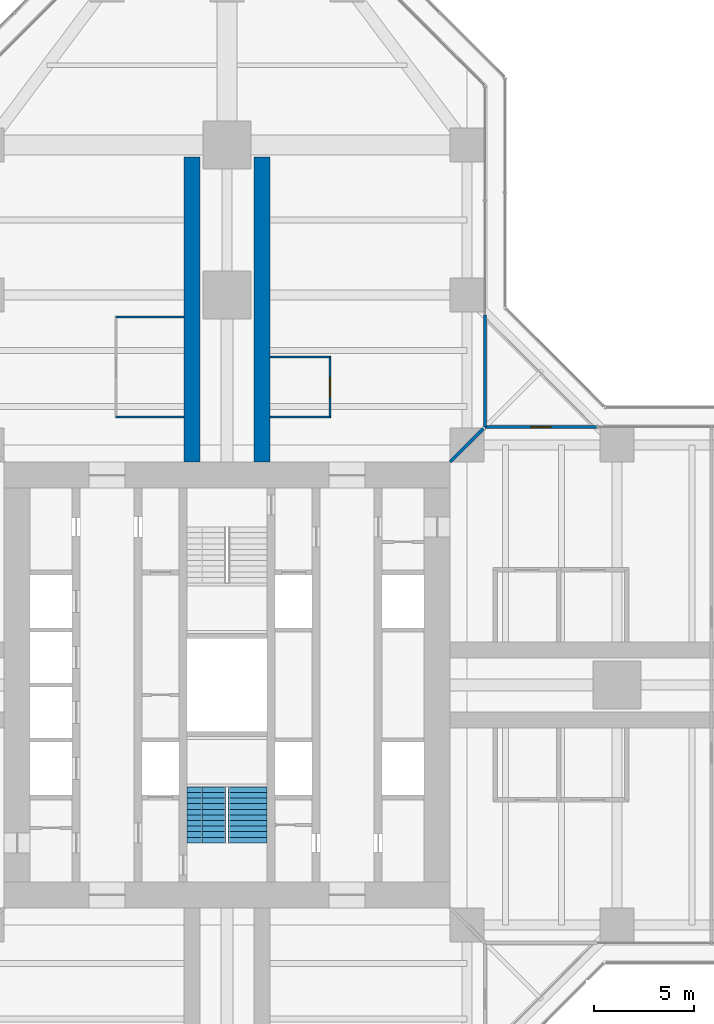
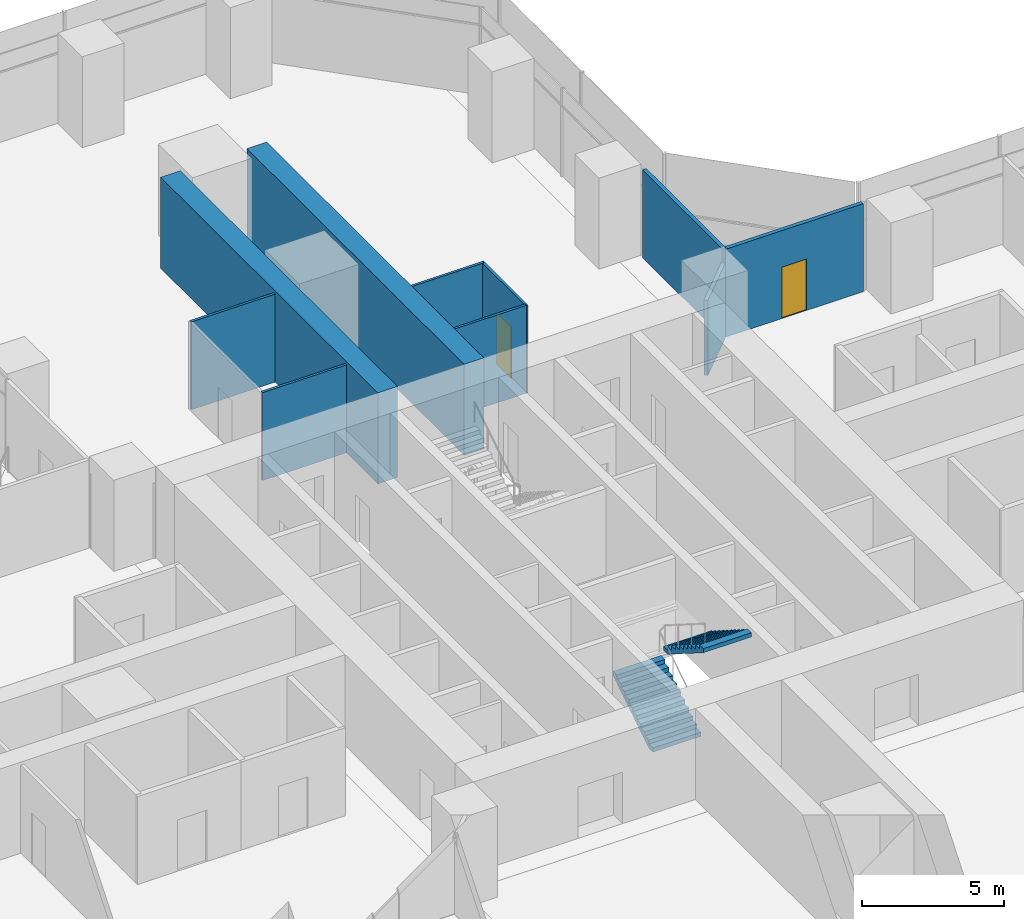
# One storey, part 20 of 22: 10 walls, 2 doors, 2 stair flights, 2 openings, 1 element without a shape of its own.
"""IFC4 building model written with IfcOpenShell, lengths in metres."""

from ifc_helpers import new_model, si_unit, direction, frame, frame_2d, origin, place, context, subcontext, project, spatial, polyline, rectangle, outline, extrude, material, layer, layer_set, type_object, element, fill, aggregate, save


model = new_model("IFC4")

# Units and contexts
model_context = context("Model", 3, precision=1e-05, world=origin(), true_north=direction((0.0, 1.0)))
body_context = subcontext(model_context, "Body", "Model", "MODEL_VIEW")
ifc_project = project(units=[si_unit("LENGTHUNIT", "METRE"), si_unit("AREAUNIT", "SQUARE_METRE"), si_unit("VOLUMEUNIT", "CUBIC_METRE"), si_unit("PLANEANGLEUNIT", "RADIAN"), si_unit("MASSUNIT", "GRAM", prefix="KILO")], contexts=[model_context])

# Site, building, storey
site_placement = place(None, origin())
site = spatial("IfcSite", under=ifc_project, at=site_placement, CompositionType="ELEMENT")
building_placement = place(site_placement, origin())
building = spatial("IfcBuilding", under=site, at=building_placement, Name="Mizan Broadcast Tower", CompositionType="ELEMENT")
storey_placement = place(building_placement, frame((0.0, 0.0, 59.10009765625)))
storey = spatial("IfcBuildingStorey", under=building, at=storey_placement, Name="L11", CompositionType="ELEMENT", Elevation=59.10009765625)

# Wall, opening, door
ifc_material_1 = material(Name="Aluminium framed glazed screen", Category="aluminium")
ifc_layer_1 = layer(ifc_material_1, 0.159912109375)
ifc_layer_set_1 = layer_set([ifc_layer_1], Name="Aluminium framed glazed screen")
wall_type_1 = type_object("IfcWallType", Name="GLAZED SCREEN WALL 160", PredefinedType="SOLIDWALL", material=ifc_layer_set_1)
wall_1_placement = place(storey_placement, frame((18.5, 12.89990234375, 0.0), z_axis=(0.0, 0.0, 1.0), x_axis=(-1.0, 0.0, 0.0)))
wall_1 = element("IfcWall", 1, at=wall_1_placement, inside=storey, type_object=wall_type_1, Name="Winter garden screen L11 E", PredefinedType="SOLIDWALL", context=body_context, shape_type="SweptSolid", body=[
    extrude(rectangle(XDim=5.60009765625, YDim=0.159912109375, at=frame_2d((2.800048828125, 0.0))), origin(), (0.0, 0.0, 1.0), 3.77001953125),
])
opening_1_placement = place(wall_1_placement, frame((2.300048828125, 0.0, 0.0)))
opening_1 = element("IfcOpeningElement", 2, at=opening_1_placement, cuts=wall_1, Name="Opening WGD", PredefinedType="OPENING", context=body_context, shape_type="SweptSolid", body=[
    extrude(rectangle(XDim=1.0, YDim=2.199951171875, at=frame_2d((0.5, 1.10009765625))), frame((0.0, 0.08984375, 0.0), z_axis=(0.0, -1.0, 0.0), x_axis=(1.0, 0.0, 0.0)), (0.0, 0.0, 1.0), 0.179931640625),
])
ifc_material_2 = material(Name="Aluminium framed glazed door", Category="aluminium")
door_type_1 = type_object("IfcDoorType", Name="WINTER GARDEN DOOR 1000 GLAZED", OperationType="SINGLE_SWING_LEFT", PredefinedType="DOOR", material=ifc_material_2)
door_1_placement = place(opening_1_placement, origin())
door_1 = element("IfcDoor", 3, at=door_1_placement, inside=storey, type_object=door_type_1, Name="Winter garden door L11 E", OperationType="SINGLE_SWING_RIGHT", OverallHeight=2.199951171875, OverallWidth=1.0, PredefinedType="DOOR", context=body_context, shape_type="SweptSolid", body=[
    extrude(rectangle(XDim=1.0, YDim=2.199951171875, at=frame_2d((0.5, 1.10009765625))), frame((0.0, 0.02490234375, 0.0), z_axis=(0.0, -1.0, 0.0), x_axis=(1.0, 0.0, 0.0)), (0.0, 0.0, 1.0), 0.050048828125),
])
fill(opening_1, door_1)

# Walls
wall_2_placement = place(storey_placement, frame((12.89990234375, 12.89990234375, 0.0), z_axis=(0.0, 0.0, 1.0), x_axis=(0.0, 1.0, 0.0)))
element("IfcWall", 4, at=wall_2_placement, inside=storey, type_object=wall_type_1, Name="Winter garden screen L11 N", PredefinedType="SOLIDWALL", context=body_context, shape_type="SweptSolid", body=[
    extrude(rectangle(XDim=5.60009765625, YDim=0.159912109375, at=frame_2d((2.800048828125, 0.0))), origin(), (0.0, 0.0, 1.0), 3.77001953125),
])
ifc_material_3 = material(Name="Gypsum board on steel studs", Category="steel")
ifc_layer_2 = layer(ifc_material_3, 0.14990234375)
ifc_layer_set_2 = layer_set([ifc_layer_2], Name="Gypsum board on steel studs")
wall_type_2 = type_object("IfcWallType", Name="PARTITION 150", PredefinedType="PARTITIONING", material=ifc_layer_set_2)
wall_3_placement = place(storey_placement, frame((11.14990234375, 11.14990234375, 0.0), z_axis=(0.0, 0.0, 1.0), x_axis=(0.707106781187, 0.707106781187, 0.0)))
element("IfcWall", 5, at=wall_3_placement, inside=storey, type_object=wall_type_2, Name="Partition PT/DGEN", PredefinedType="PARTITIONING", context=body_context, shape_type="SweptSolid", body=[
    extrude(rectangle(XDim=2.362060546875, YDim=0.14990234375, at=frame_2d((1.18115234375, 0.0))), origin(), (0.0, 0.0, 1.0), 3.219970703125),
])
ifc_material_4 = material(Name="Glazed aluminium partition on aluminium track", Category="aluminium")
ifc_layer_3 = layer(ifc_material_4, 0.10009765625)
ifc_layer_set_3 = layer_set([ifc_layer_3], Name="Glazed aluminium partition on aluminium track")
wall_type_3 = type_object("IfcWallType", Name="PARTITION GLAZED OFFICE FRONT 100", PredefinedType="PARTITIONING", material=ifc_layer_set_3)
for number, where, z_axis, x_axis, name in (
    (6, (-2.14990234375, 13.39990234375, 0.0), (0.0, 0.0, 1.0), (-1.0, 0.0, 0.0), "Glazed office front PT/NKP0a"),
    (7, (-2.14990234375, 18.39990234375, 0.0), (0.0, 0.0, 1.0), (-1.0, 0.0, 0.0), "Glazed office front PT/NKP0b"),
):
    element("IfcWall", number, at=place(storey_placement, frame(where, z_axis=z_axis, x_axis=x_axis)), inside=storey, type_object=wall_type_3, Name=name, PredefinedType="PARTITIONING", context=body_context, shape_type="SweptSolid", body=[
        extrude(rectangle(XDim=3.400146484375, YDim=0.10009765625, at=frame_2d((1.7001953125, 0.0))), origin(), (0.0, 0.0, 1.0), 3.77001953125),
    ])
for number, where, z_axis, x_axis, name in (
    (8, (2.14990234375, 13.39990234375, 0.0), (0.0, 0.0, 1.0), (1.0, 0.0, 0.0), "Glazed office front PT/NKN0a"),
    (9, (2.14990234375, 16.39990234375, 0.0), (0.0, 0.0, 1.0), (1.0, 0.0, 0.0), "Glazed office front PT/NKN0b"),
):
    element("IfcWall", number, at=place(storey_placement, frame(where, z_axis=z_axis, x_axis=x_axis)), inside=storey, type_object=wall_type_3, Name=name, PredefinedType="PARTITIONING", context=body_context, shape_type="SweptSolid", body=[
        extrude(rectangle(XDim=3.0, YDim=0.10009765625, at=frame_2d((1.5, 0.0))), origin(), (0.0, 0.0, 1.0), 3.77001953125),
    ])

# Wall, opening, door
wall_4_placement = place(storey_placement, frame((5.14990234375, 13.35009765625, 0.0), z_axis=(0.0, 0.0, 1.0), x_axis=(0.0, 1.0, 0.0)))
wall_4 = element("IfcWall", 10, at=wall_4_placement, inside=storey, type_object=wall_type_3, Name="Glazed office front PT/NKN0f", PredefinedType="PARTITIONING", context=body_context, shape_type="SweptSolid", body=[
    extrude(rectangle(XDim=3.099853515625, YDim=0.10009765625, at=frame_2d((1.5498046875, 0.0))), origin(), (0.0, 0.0, 1.0), 3.77001953125),
])
opening_2_placement = place(wall_4_placement, frame((1.050048828125, 0.0, 0.0)))
opening_2 = element("IfcOpeningElement", 11, at=opening_2_placement, cuts=wall_4, Name="Opening D10O", PredefinedType="OPENING", context=body_context, shape_type="SweptSolid", body=[
    extrude(rectangle(XDim=1.0, YDim=2.199951171875, at=frame_2d((0.5, 1.10009765625))), frame((0.0, 0.06005859375, 0.0), z_axis=(0.0, -1.0, 0.0), x_axis=(1.0, 0.0, 0.0)), (0.0, 0.0, 1.0), 0.1201171875),
])
ifc_material_5 = material(Name="Timber door leaf in aluminium frame", Category="wood")
door_type_2 = type_object("IfcDoorType", Name="OFFICE DOOR 1000 GLAZED", OperationType="SINGLE_SWING_LEFT", PredefinedType="DOOR", material=ifc_material_5)
door_2_placement = place(opening_2_placement, origin())
door_2 = element("IfcDoor", 12, at=door_2_placement, inside=storey, type_object=door_type_2, Name="Pantry door", OperationType="SINGLE_SWING_LEFT", OverallHeight=2.199951171875, OverallWidth=1.0, PredefinedType="DOOR", context=body_context, shape_type="SweptSolid", body=[
    extrude(rectangle(XDim=1.0, YDim=2.199951171875, at=frame_2d((0.5, 1.10009765625))), frame((0.0, 0.02490234375, 0.0), z_axis=(0.0, -1.0, 0.0), x_axis=(1.0, 0.0, 0.0)), (0.0, 0.0, 1.0), 0.050048828125),
])
fill(opening_2, door_2)

# Walls
ifc_material_6 = material(Name="Concrete C70/85", Category="concrete")
ifc_layer_4 = layer(ifc_material_6, 0.800048828125)
ifc_layer_set_4 = layer_set([ifc_layer_4], Name="Concrete C70/85")
wall_type_4 = type_object("IfcWallType", Name="SPINE WALL 800", PredefinedType="SHEAR", material=ifc_layer_set_4)
for number, where, z_axis, x_axis, name in (
    (13, (1.75, 11.14990234375, 0.0), (0.0, 0.0, 1.0), (0.0, 1.0, 0.0), "Spine wall NR L11"),
    (14, (-1.75, 11.14990234375, 0.0), (0.0, 0.0, 1.0), (0.0, 1.0, 0.0), "Spine wall NL L11"),
):
    element("IfcWall", number, at=place(storey_placement, frame(where, z_axis=z_axis, x_axis=x_axis)), inside=storey, type_object=wall_type_4, Name=name, PredefinedType="SHEAR", context=body_context, shape_type="SweptSolid", body=[
        extrude(rectangle(XDim=15.25, YDim=0.800048828125, at=frame_2d((7.625, 0.0))), origin(), (0.0, 0.0, 1.0), 3.89990234375),
    ])

# Stair, stair flights
ifc_material_7 = material(Name="Concrete C40/50", Category="concrete")
stair_type = type_object("IfcStairType", Name="EXIT STAIR", PredefinedType="HALF_TURN_STAIR", material=ifc_material_7)
stair_placement = place(storey_placement, origin())
stair = element("IfcStair", 15, at=stair_placement, inside=storey, type_object=stair_type, Name="Stair A L11", PredefinedType="HALF_TURN_STAIR")
ifc_material_8 = material(Name="Concrete C40/50", Category="concrete")
stair_flight_type = type_object("IfcStairFlightType", Name="EXIT STAIR FLIGHT", PredefinedType="STRAIGHT", material=ifc_material_8)
stair_flight_1_placement = place(storey_placement, frame((-1.02490234375, -7.89990234375, 0.0), z_axis=(0.0, 0.0, 1.0), x_axis=(0.0, 1.0, 0.0)))
stair_flight_1 = element("IfcStairFlight", 16, at=stair_flight_1_placement, type_object=stair_flight_type, Name="A flight 1", NumberOfRisers=11, NumberOfTreads=10, PredefinedType="STRAIGHT", RiserHeight=0.177272727, TreadLength=0.28, context=body_context, shape_type="SweptSolid", body=[
    extrude(outline(polyline([(0.0, 0.0), (0.0, 0.17724609375), (0.280029296875, 0.17724609375), (0.280029296875, 0.3544921875), (0.56005859375, 0.3544921875), (0.56005859375, 0.53173828125), (0.840087890625, 0.53173828125), (0.840087890625, 0.708984375), (1.1201171875, 0.708984375), (1.1201171875, 0.886474609375), (1.39990234375, 0.886474609375), (1.39990234375, 1.063720703125), (1.679931640625, 1.063720703125), (1.679931640625, 1.240966796875), (1.9599609375, 1.240966796875), (1.9599609375, 1.418212890625), (2.239990234375, 1.418212890625), (2.239990234375, 1.595458984375), (2.52001953125, 1.595458984375), (2.52001953125, 1.772705078125), (2.800048828125, 1.772705078125), (2.800048828125, 1.949951171875), (2.800048828125, 1.59521484375), (0.2802734375, 0.0), (0.0, 0.0)])), frame((0.0, 0.97509765625, 0.0), z_axis=(0.0, -1.0, 0.0), x_axis=(1.0, 0.0, 0.0)), (0.0, 0.0, 1.0), 0.4873046875),
    extrude(outline(polyline([(0.0, 0.0), (0.0, 0.17724609375), (0.280029296875, 0.17724609375), (0.280029296875, 0.3544921875), (0.56005859375, 0.3544921875), (0.56005859375, 0.53173828125), (0.840087890625, 0.53173828125), (0.840087890625, 0.708984375), (1.1201171875, 0.708984375), (1.1201171875, 0.886474609375), (1.39990234375, 0.886474609375), (1.39990234375, 1.063720703125), (1.679931640625, 1.063720703125), (1.679931640625, 1.240966796875), (1.9599609375, 1.240966796875), (1.9599609375, 1.418212890625), (2.239990234375, 1.418212890625), (2.239990234375, 1.595458984375), (2.52001953125, 1.595458984375), (2.52001953125, 1.772705078125), (2.800048828125, 1.772705078125), (2.800048828125, 1.949951171875), (2.800048828125, 1.59521484375), (0.2802734375, 0.0), (0.0, 0.0)])), frame((0.0, 0.4873046875, 0.0), z_axis=(0.0, -1.0, 0.0), x_axis=(1.0, 0.0, 0.0)), (0.0, 0.0, 1.0), 0.2431640625),
    extrude(outline(polyline([(0.0, 0.0), (0.0, 0.17724609375), (0.280029296875, 0.17724609375), (0.280029296875, 0.3544921875), (0.56005859375, 0.3544921875), (0.56005859375, 0.53173828125), (0.840087890625, 0.53173828125), (0.840087890625, 0.708984375), (1.1201171875, 0.708984375), (1.1201171875, 0.886474609375), (1.39990234375, 0.886474609375), (1.39990234375, 1.063720703125), (1.679931640625, 1.063720703125), (1.679931640625, 1.240966796875), (1.9599609375, 1.240966796875), (1.9599609375, 1.418212890625), (2.239990234375, 1.418212890625), (2.239990234375, 1.595458984375), (2.52001953125, 1.595458984375), (2.52001953125, 1.772705078125), (2.800048828125, 1.772705078125), (2.800048828125, 1.949951171875), (2.800048828125, 1.59521484375), (0.2802734375, 0.0), (0.0, 0.0)])), frame((0.0, 0.24365234375, 0.0), z_axis=(0.0, -1.0, 0.0), x_axis=(1.0, 0.0, 0.0)), (0.0, 0.0, 1.0), 0.121337890625),
    extrude(outline(polyline([(0.0, 0.0), (0.0, 0.17724609375), (0.280029296875, 0.17724609375), (0.280029296875, 0.3544921875), (0.56005859375, 0.3544921875), (0.56005859375, 0.53173828125), (0.840087890625, 0.53173828125), (0.840087890625, 0.708984375), (1.1201171875, 0.708984375), (1.1201171875, 0.886474609375), (1.39990234375, 0.886474609375), (1.39990234375, 1.063720703125), (1.679931640625, 1.063720703125), (1.679931640625, 1.240966796875), (1.9599609375, 1.240966796875), (1.9599609375, 1.418212890625), (2.239990234375, 1.418212890625), (2.239990234375, 1.595458984375), (2.52001953125, 1.595458984375), (2.52001953125, 1.772705078125), (2.800048828125, 1.772705078125), (2.800048828125, 1.949951171875), (2.800048828125, 1.59521484375), (0.2802734375, 0.0), (0.0, 0.0)])), frame((0.0, 0.121826171875, 0.0), z_axis=(0.0, -1.0, 0.0), x_axis=(1.0, 0.0, 0.0)), (0.0, 0.0, 1.0), 0.060546875),
    extrude(outline(polyline([(0.0, 0.0), (0.0, 0.17724609375), (0.280029296875, 0.17724609375), (0.280029296875, 0.3544921875), (0.56005859375, 0.3544921875), (0.56005859375, 0.53173828125), (0.840087890625, 0.53173828125), (0.840087890625, 0.708984375), (1.1201171875, 0.708984375), (1.1201171875, 0.886474609375), (1.39990234375, 0.886474609375), (1.39990234375, 1.063720703125), (1.679931640625, 1.063720703125), (1.679931640625, 1.240966796875), (1.9599609375, 1.240966796875), (1.9599609375, 1.418212890625), (2.239990234375, 1.418212890625), (2.239990234375, 1.595458984375), (2.52001953125, 1.595458984375), (2.52001953125, 1.772705078125), (2.800048828125, 1.772705078125), (2.800048828125, 1.949951171875), (2.800048828125, 1.59521484375), (0.2802734375, 0.0), (0.0, 0.0)])), frame((0.0, 0.060791015625, 0.0), z_axis=(0.0, -1.0, 0.0), x_axis=(1.0, 0.0, 0.0)), (0.0, 0.0, 1.0), 0.030029296875),
    extrude(outline(polyline([(0.0, 0.0), (0.0, 0.17724609375), (0.280029296875, 0.17724609375), (0.280029296875, 0.3544921875), (0.56005859375, 0.3544921875), (0.56005859375, 0.53173828125), (0.840087890625, 0.53173828125), (0.840087890625, 0.708984375), (1.1201171875, 0.708984375), (1.1201171875, 0.886474609375), (1.39990234375, 0.886474609375), (1.39990234375, 1.063720703125), (1.679931640625, 1.063720703125), (1.679931640625, 1.240966796875), (1.9599609375, 1.240966796875), (1.9599609375, 1.418212890625), (2.239990234375, 1.418212890625), (2.239990234375, 1.595458984375), (2.52001953125, 1.595458984375), (2.52001953125, 1.772705078125), (2.800048828125, 1.772705078125), (2.800048828125, 1.949951171875), (2.800048828125, 1.59521484375), (0.2802734375, 0.0), (0.0, 0.0)])), frame((0.0, 0.0302734375, 0.0), z_axis=(0.0, -1.0, 0.0), x_axis=(1.0, 0.0, 0.0)), (0.0, 0.0, 1.0), 0.060302734375),
    extrude(outline(polyline([(0.0, 0.0), (0.0, 0.17724609375), (0.280029296875, 0.17724609375), (0.280029296875, 0.3544921875), (0.56005859375, 0.3544921875), (0.56005859375, 0.53173828125), (0.840087890625, 0.53173828125), (0.840087890625, 0.708984375), (1.1201171875, 0.708984375), (1.1201171875, 0.886474609375), (1.39990234375, 0.886474609375), (1.39990234375, 1.063720703125), (1.679931640625, 1.063720703125), (1.679931640625, 1.240966796875), (1.9599609375, 1.240966796875), (1.9599609375, 1.418212890625), (2.239990234375, 1.418212890625), (2.239990234375, 1.595458984375), (2.52001953125, 1.595458984375), (2.52001953125, 1.772705078125), (2.800048828125, 1.772705078125), (2.800048828125, 1.949951171875), (2.800048828125, 1.59521484375), (0.2802734375, 0.0), (0.0, 0.0)])), frame((0.0, -0.030517578125, 0.0), z_axis=(0.0, -1.0, 0.0), x_axis=(1.0, 0.0, 0.0)), (0.0, 0.0, 1.0), 0.030029296875),
    extrude(outline(polyline([(0.0, 0.0), (0.0, 0.17724609375), (0.280029296875, 0.17724609375), (0.280029296875, 0.3544921875), (0.56005859375, 0.3544921875), (0.56005859375, 0.53173828125), (0.840087890625, 0.53173828125), (0.840087890625, 0.708984375), (1.1201171875, 0.708984375), (1.1201171875, 0.886474609375), (1.39990234375, 0.886474609375), (1.39990234375, 1.063720703125), (1.679931640625, 1.063720703125), (1.679931640625, 1.240966796875), (1.9599609375, 1.240966796875), (1.9599609375, 1.418212890625), (2.239990234375, 1.418212890625), (2.239990234375, 1.595458984375), (2.52001953125, 1.595458984375), (2.52001953125, 1.772705078125), (2.800048828125, 1.772705078125), (2.800048828125, 1.949951171875), (2.800048828125, 1.59521484375), (0.2802734375, 0.0), (0.0, 0.0)])), frame((0.0, -0.06103515625, 0.0), z_axis=(0.0, -1.0, 0.0), x_axis=(1.0, 0.0, 0.0)), (0.0, 0.0, 1.0), 0.060546875),
    extrude(outline(polyline([(0.0, 0.0), (0.0, 0.17724609375), (0.280029296875, 0.17724609375), (0.280029296875, 0.3544921875), (0.56005859375, 0.3544921875), (0.56005859375, 0.53173828125), (0.840087890625, 0.53173828125), (0.840087890625, 0.708984375), (1.1201171875, 0.708984375), (1.1201171875, 0.886474609375), (1.39990234375, 0.886474609375), (1.39990234375, 1.063720703125), (1.679931640625, 1.063720703125), (1.679931640625, 1.240966796875), (1.9599609375, 1.240966796875), (1.9599609375, 1.418212890625), (2.239990234375, 1.418212890625), (2.239990234375, 1.595458984375), (2.52001953125, 1.595458984375), (2.52001953125, 1.772705078125), (2.800048828125, 1.772705078125), (2.800048828125, 1.949951171875), (2.800048828125, 1.59521484375), (0.2802734375, 0.0), (0.0, 0.0)])), frame((0.0, -0.1220703125, 0.0), z_axis=(0.0, -1.0, 0.0), x_axis=(1.0, 0.0, 0.0)), (0.0, 0.0, 1.0), 0.121337890625),
    extrude(outline(polyline([(0.0, 0.0), (0.0, 0.17724609375), (0.280029296875, 0.17724609375), (0.280029296875, 0.3544921875), (0.56005859375, 0.3544921875), (0.56005859375, 0.53173828125), (0.840087890625, 0.53173828125), (0.840087890625, 0.708984375), (1.1201171875, 0.708984375), (1.1201171875, 0.886474609375), (1.39990234375, 0.886474609375), (1.39990234375, 1.063720703125), (1.679931640625, 1.063720703125), (1.679931640625, 1.240966796875), (1.9599609375, 1.240966796875), (1.9599609375, 1.418212890625), (2.239990234375, 1.418212890625), (2.239990234375, 1.595458984375), (2.52001953125, 1.595458984375), (2.52001953125, 1.772705078125), (2.800048828125, 1.772705078125), (2.800048828125, 1.949951171875), (2.800048828125, 1.59521484375), (0.2802734375, 0.0), (0.0, 0.0)])), frame((0.0, -0.243896484375, 0.0), z_axis=(0.0, -1.0, 0.0), x_axis=(1.0, 0.0, 0.0)), (0.0, 0.0, 1.0), 0.2431640625),
    extrude(outline(polyline([(0.0, 0.0), (0.0, 0.17724609375), (0.280029296875, 0.17724609375), (0.280029296875, 0.3544921875), (0.56005859375, 0.3544921875), (0.56005859375, 0.53173828125), (0.840087890625, 0.53173828125), (0.840087890625, 0.708984375), (1.1201171875, 0.708984375), (1.1201171875, 0.886474609375), (1.39990234375, 0.886474609375), (1.39990234375, 1.063720703125), (1.679931640625, 1.063720703125), (1.679931640625, 1.240966796875), (1.9599609375, 1.240966796875), (1.9599609375, 1.418212890625), (2.239990234375, 1.418212890625), (2.239990234375, 1.595458984375), (2.52001953125, 1.595458984375), (2.52001953125, 1.772705078125), (2.800048828125, 1.772705078125), (2.800048828125, 1.949951171875), (2.800048828125, 1.59521484375), (0.2802734375, 0.0), (0.0, 0.0)])), frame((0.0, -0.487548828125, 0.0), z_axis=(0.0, -1.0, 0.0), x_axis=(1.0, 0.0, 0.0)), (0.0, 0.0, 1.0), 0.4873046875),
])
stair_flight_2_placement = place(storey_placement, frame((1.02490234375, -5.10009765625, 1.949951171875), z_axis=(0.0, 0.0, 1.0), x_axis=(0.0, -1.0, 0.0)))
stair_flight_2 = element("IfcStairFlight", 17, at=stair_flight_2_placement, type_object=stair_flight_type, Name="A flight 2", NumberOfRisers=11, NumberOfTreads=10, PredefinedType="STRAIGHT", RiserHeight=0.177272727, TreadLength=0.28, context=body_context, shape_type="SweptSolid", body=[
    extrude(outline(polyline([(0.0, 0.0), (0.0, 0.17724609375), (0.280029296875, 0.17724609375), (0.280029296875, 0.3544921875), (0.56005859375, 0.3544921875), (0.56005859375, 0.53173828125), (0.840087890625, 0.53173828125), (0.840087890625, 0.708984375), (1.1201171875, 0.708984375), (1.1201171875, 0.886474609375), (1.39990234375, 0.886474609375), (1.39990234375, 1.063720703125), (1.679931640625, 1.063720703125), (1.679931640625, 1.240966796875), (1.9599609375, 1.240966796875), (1.9599609375, 1.418212890625), (2.239990234375, 1.418212890625), (2.239990234375, 1.595458984375), (2.52001953125, 1.595458984375), (2.52001953125, 1.772705078125), (2.800048828125, 1.772705078125), (2.800048828125, 1.949951171875), (2.800048828125, 1.59521484375), (0.2802734375, 0.0), (0.0, 0.0)])), frame((0.0, 0.97509765625, 0.0), z_axis=(0.0, -1.0, 0.0), x_axis=(1.0, 0.0, 0.0)), (0.0, 0.0, 1.0), 0.4873046875),
    extrude(outline(polyline([(0.0, 0.0), (0.0, 0.17724609375), (0.280029296875, 0.17724609375), (0.280029296875, 0.3544921875), (0.56005859375, 0.3544921875), (0.56005859375, 0.53173828125), (0.840087890625, 0.53173828125), (0.840087890625, 0.708984375), (1.1201171875, 0.708984375), (1.1201171875, 0.886474609375), (1.39990234375, 0.886474609375), (1.39990234375, 1.063720703125), (1.679931640625, 1.063720703125), (1.679931640625, 1.240966796875), (1.9599609375, 1.240966796875), (1.9599609375, 1.418212890625), (2.239990234375, 1.418212890625), (2.239990234375, 1.595458984375), (2.52001953125, 1.595458984375), (2.52001953125, 1.772705078125), (2.800048828125, 1.772705078125), (2.800048828125, 1.949951171875), (2.800048828125, 1.59521484375), (0.2802734375, 0.0), (0.0, 0.0)])), frame((0.0, 0.4873046875, 0.0), z_axis=(0.0, -1.0, 0.0), x_axis=(1.0, 0.0, 0.0)), (0.0, 0.0, 1.0), 0.2431640625),
    extrude(outline(polyline([(0.0, 0.0), (0.0, 0.17724609375), (0.280029296875, 0.17724609375), (0.280029296875, 0.3544921875), (0.56005859375, 0.3544921875), (0.56005859375, 0.53173828125), (0.840087890625, 0.53173828125), (0.840087890625, 0.708984375), (1.1201171875, 0.708984375), (1.1201171875, 0.886474609375), (1.39990234375, 0.886474609375), (1.39990234375, 1.063720703125), (1.679931640625, 1.063720703125), (1.679931640625, 1.240966796875), (1.9599609375, 1.240966796875), (1.9599609375, 1.418212890625), (2.239990234375, 1.418212890625), (2.239990234375, 1.595458984375), (2.52001953125, 1.595458984375), (2.52001953125, 1.772705078125), (2.800048828125, 1.772705078125), (2.800048828125, 1.949951171875), (2.800048828125, 1.59521484375), (0.2802734375, 0.0), (0.0, 0.0)])), frame((0.0, 0.24365234375, 0.0), z_axis=(0.0, -1.0, 0.0), x_axis=(1.0, 0.0, 0.0)), (0.0, 0.0, 1.0), 0.121337890625),
    extrude(outline(polyline([(0.0, 0.0), (0.0, 0.17724609375), (0.280029296875, 0.17724609375), (0.280029296875, 0.3544921875), (0.56005859375, 0.3544921875), (0.56005859375, 0.53173828125), (0.840087890625, 0.53173828125), (0.840087890625, 0.708984375), (1.1201171875, 0.708984375), (1.1201171875, 0.886474609375), (1.39990234375, 0.886474609375), (1.39990234375, 1.063720703125), (1.679931640625, 1.063720703125), (1.679931640625, 1.240966796875), (1.9599609375, 1.240966796875), (1.9599609375, 1.418212890625), (2.239990234375, 1.418212890625), (2.239990234375, 1.595458984375), (2.52001953125, 1.595458984375), (2.52001953125, 1.772705078125), (2.800048828125, 1.772705078125), (2.800048828125, 1.949951171875), (2.800048828125, 1.59521484375), (0.2802734375, 0.0), (0.0, 0.0)])), frame((0.0, 0.121826171875, 0.0), z_axis=(0.0, -1.0, 0.0), x_axis=(1.0, 0.0, 0.0)), (0.0, 0.0, 1.0), 0.060546875),
    extrude(outline(polyline([(0.0, 0.0), (0.0, 0.17724609375), (0.280029296875, 0.17724609375), (0.280029296875, 0.3544921875), (0.56005859375, 0.3544921875), (0.56005859375, 0.53173828125), (0.840087890625, 0.53173828125), (0.840087890625, 0.708984375), (1.1201171875, 0.708984375), (1.1201171875, 0.886474609375), (1.39990234375, 0.886474609375), (1.39990234375, 1.063720703125), (1.679931640625, 1.063720703125), (1.679931640625, 1.240966796875), (1.9599609375, 1.240966796875), (1.9599609375, 1.418212890625), (2.239990234375, 1.418212890625), (2.239990234375, 1.595458984375), (2.52001953125, 1.595458984375), (2.52001953125, 1.772705078125), (2.800048828125, 1.772705078125), (2.800048828125, 1.949951171875), (2.800048828125, 1.59521484375), (0.2802734375, 0.0), (0.0, 0.0)])), frame((0.0, 0.060791015625, 0.0), z_axis=(0.0, -1.0, 0.0), x_axis=(1.0, 0.0, 0.0)), (0.0, 0.0, 1.0), 0.030029296875),
    extrude(outline(polyline([(0.0, 0.0), (0.0, 0.17724609375), (0.280029296875, 0.17724609375), (0.280029296875, 0.3544921875), (0.56005859375, 0.3544921875), (0.56005859375, 0.53173828125), (0.840087890625, 0.53173828125), (0.840087890625, 0.708984375), (1.1201171875, 0.708984375), (1.1201171875, 0.886474609375), (1.39990234375, 0.886474609375), (1.39990234375, 1.063720703125), (1.679931640625, 1.063720703125), (1.679931640625, 1.240966796875), (1.9599609375, 1.240966796875), (1.9599609375, 1.418212890625), (2.239990234375, 1.418212890625), (2.239990234375, 1.595458984375), (2.52001953125, 1.595458984375), (2.52001953125, 1.772705078125), (2.800048828125, 1.772705078125), (2.800048828125, 1.949951171875), (2.800048828125, 1.59521484375), (0.2802734375, 0.0), (0.0, 0.0)])), frame((0.0, 0.0302734375, 0.0), z_axis=(0.0, -1.0, 0.0), x_axis=(1.0, 0.0, 0.0)), (0.0, 0.0, 1.0), 0.060302734375),
    extrude(outline(polyline([(0.0, 0.0), (0.0, 0.17724609375), (0.280029296875, 0.17724609375), (0.280029296875, 0.3544921875), (0.56005859375, 0.3544921875), (0.56005859375, 0.53173828125), (0.840087890625, 0.53173828125), (0.840087890625, 0.708984375), (1.1201171875, 0.708984375), (1.1201171875, 0.886474609375), (1.39990234375, 0.886474609375), (1.39990234375, 1.063720703125), (1.679931640625, 1.063720703125), (1.679931640625, 1.240966796875), (1.9599609375, 1.240966796875), (1.9599609375, 1.418212890625), (2.239990234375, 1.418212890625), (2.239990234375, 1.595458984375), (2.52001953125, 1.595458984375), (2.52001953125, 1.772705078125), (2.800048828125, 1.772705078125), (2.800048828125, 1.949951171875), (2.800048828125, 1.59521484375), (0.2802734375, 0.0), (0.0, 0.0)])), frame((0.0, -0.030517578125, 0.0), z_axis=(0.0, -1.0, 0.0), x_axis=(1.0, 0.0, 0.0)), (0.0, 0.0, 1.0), 0.030029296875),
    extrude(outline(polyline([(0.0, 0.0), (0.0, 0.17724609375), (0.280029296875, 0.17724609375), (0.280029296875, 0.3544921875), (0.56005859375, 0.3544921875), (0.56005859375, 0.53173828125), (0.840087890625, 0.53173828125), (0.840087890625, 0.708984375), (1.1201171875, 0.708984375), (1.1201171875, 0.886474609375), (1.39990234375, 0.886474609375), (1.39990234375, 1.063720703125), (1.679931640625, 1.063720703125), (1.679931640625, 1.240966796875), (1.9599609375, 1.240966796875), (1.9599609375, 1.418212890625), (2.239990234375, 1.418212890625), (2.239990234375, 1.595458984375), (2.52001953125, 1.595458984375), (2.52001953125, 1.772705078125), (2.800048828125, 1.772705078125), (2.800048828125, 1.949951171875), (2.800048828125, 1.59521484375), (0.2802734375, 0.0), (0.0, 0.0)])), frame((0.0, -0.06103515625, 0.0), z_axis=(0.0, -1.0, 0.0), x_axis=(1.0, 0.0, 0.0)), (0.0, 0.0, 1.0), 0.060546875),
    extrude(outline(polyline([(0.0, 0.0), (0.0, 0.17724609375), (0.280029296875, 0.17724609375), (0.280029296875, 0.3544921875), (0.56005859375, 0.3544921875), (0.56005859375, 0.53173828125), (0.840087890625, 0.53173828125), (0.840087890625, 0.708984375), (1.1201171875, 0.708984375), (1.1201171875, 0.886474609375), (1.39990234375, 0.886474609375), (1.39990234375, 1.063720703125), (1.679931640625, 1.063720703125), (1.679931640625, 1.240966796875), (1.9599609375, 1.240966796875), (1.9599609375, 1.418212890625), (2.239990234375, 1.418212890625), (2.239990234375, 1.595458984375), (2.52001953125, 1.595458984375), (2.52001953125, 1.772705078125), (2.800048828125, 1.772705078125), (2.800048828125, 1.949951171875), (2.800048828125, 1.59521484375), (0.2802734375, 0.0), (0.0, 0.0)])), frame((0.0, -0.1220703125, 0.0), z_axis=(0.0, -1.0, 0.0), x_axis=(1.0, 0.0, 0.0)), (0.0, 0.0, 1.0), 0.121337890625),
    extrude(outline(polyline([(0.0, 0.0), (0.0, 0.17724609375), (0.280029296875, 0.17724609375), (0.280029296875, 0.3544921875), (0.56005859375, 0.3544921875), (0.56005859375, 0.53173828125), (0.840087890625, 0.53173828125), (0.840087890625, 0.708984375), (1.1201171875, 0.708984375), (1.1201171875, 0.886474609375), (1.39990234375, 0.886474609375), (1.39990234375, 1.063720703125), (1.679931640625, 1.063720703125), (1.679931640625, 1.240966796875), (1.9599609375, 1.240966796875), (1.9599609375, 1.418212890625), (2.239990234375, 1.418212890625), (2.239990234375, 1.595458984375), (2.52001953125, 1.595458984375), (2.52001953125, 1.772705078125), (2.800048828125, 1.772705078125), (2.800048828125, 1.949951171875), (2.800048828125, 1.59521484375), (0.2802734375, 0.0), (0.0, 0.0)])), frame((0.0, -0.243896484375, 0.0), z_axis=(0.0, -1.0, 0.0), x_axis=(1.0, 0.0, 0.0)), (0.0, 0.0, 1.0), 0.2431640625),
    extrude(outline(polyline([(0.0, 0.0), (0.0, 0.17724609375), (0.280029296875, 0.17724609375), (0.280029296875, 0.3544921875), (0.56005859375, 0.3544921875), (0.56005859375, 0.53173828125), (0.840087890625, 0.53173828125), (0.840087890625, 0.708984375), (1.1201171875, 0.708984375), (1.1201171875, 0.886474609375), (1.39990234375, 0.886474609375), (1.39990234375, 1.063720703125), (1.679931640625, 1.063720703125), (1.679931640625, 1.240966796875), (1.9599609375, 1.240966796875), (1.9599609375, 1.418212890625), (2.239990234375, 1.418212890625), (2.239990234375, 1.595458984375), (2.52001953125, 1.595458984375), (2.52001953125, 1.772705078125), (2.800048828125, 1.772705078125), (2.800048828125, 1.949951171875), (2.800048828125, 1.59521484375), (0.2802734375, 0.0), (0.0, 0.0)])), frame((0.0, -0.487548828125, 0.0), z_axis=(0.0, -1.0, 0.0), x_axis=(1.0, 0.0, 0.0)), (0.0, 0.0, 1.0), 0.4873046875),
])
aggregate(stair, [stair_flight_1, stair_flight_2])

save(model, "model.ifc")
